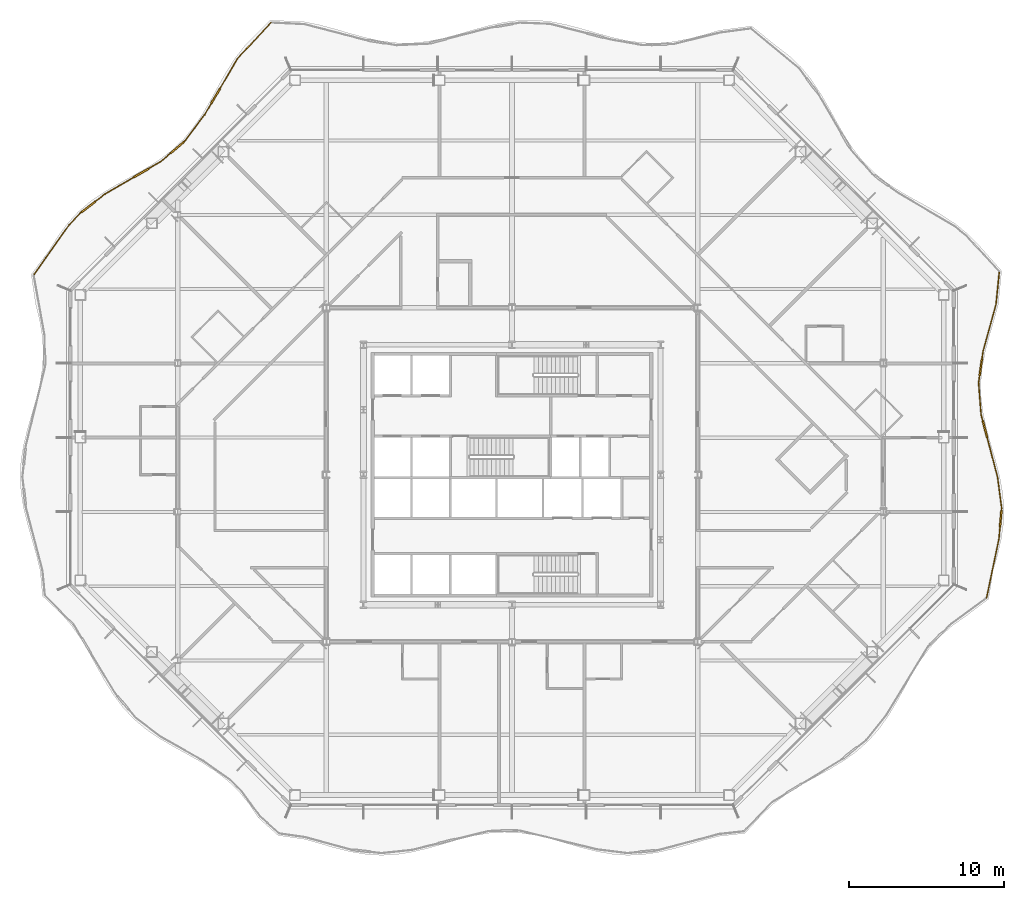
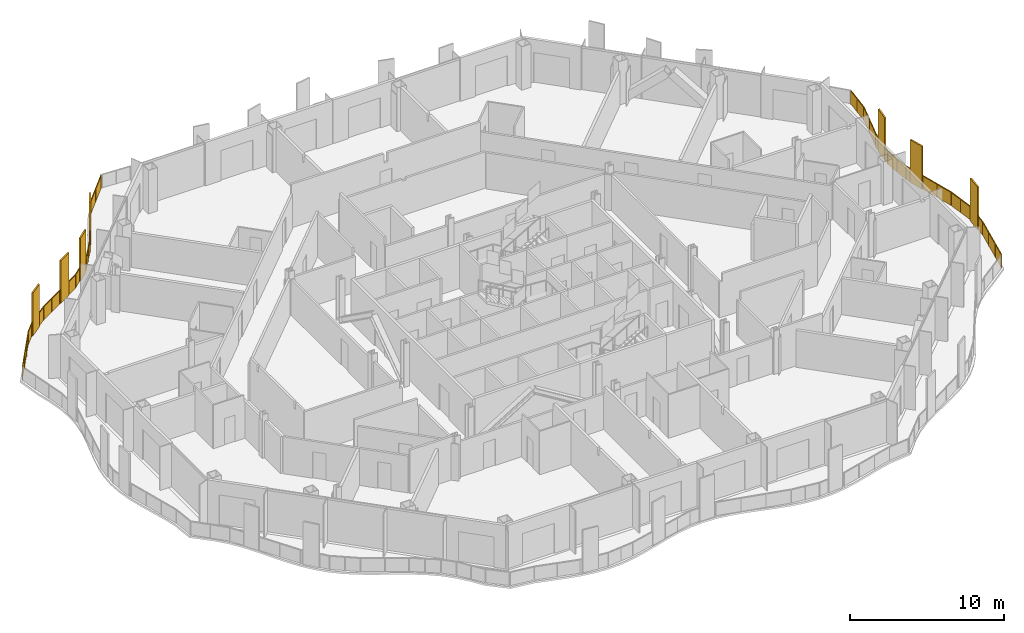
# One storey, part 19 of 21: 2 railings.
"""IFC4 building model written with IfcOpenShell, lengths in metres."""

from ifc_helpers import new_model, si_unit, direction, frame, origin, origin_2d, place, context, subcontext, project, spatial, polyline, rectangle, outline, extrude, material, type_object, element, save


model = new_model("IFC4")

# Units and contexts
model_context = context("Model", 3, precision=1e-05, world=origin(), true_north=direction((0.0, 1.0)))
body_context = subcontext(model_context, "Body", "Model", "MODEL_VIEW")
ifc_project = project(units=[si_unit("LENGTHUNIT", "METRE"), si_unit("AREAUNIT", "SQUARE_METRE"), si_unit("VOLUMEUNIT", "CUBIC_METRE"), si_unit("PLANEANGLEUNIT", "RADIAN"), si_unit("MASSUNIT", "GRAM", prefix="KILO")], contexts=[model_context])

# Site, building, storey
site_placement = place(None, origin())
site = spatial("IfcSite", under=ifc_project, at=site_placement, CompositionType="ELEMENT")
building_placement = place(site_placement, origin())
building = spatial("IfcBuilding", under=site, at=building_placement, Name="Cairn Pilgrim Tower", CompositionType="ELEMENT")
storey_placement = place(building_placement, frame((0.0, 0.0, 129.0)))
storey = spatial("IfcBuildingStorey", under=building, at=storey_placement, Name="L31", CompositionType="ELEMENT", Elevation=129.0)

# Railings
ifc_material = material(Name="Bronze anodised aluminium rail, posts and fin screens with laminated glass infill", Category="aluminium")
railing_type = type_object("IfcRailingType", Name="BALCONY GUARD WITH FIN SCREENS", PredefinedType="GUARDRAIL", material=ifc_material)
railing_1_placement = place(storey_placement, frame((37.873291015625, -5.544921875, 0.0)))
element("IfcRailing", 1, at=railing_1_placement, inside=storey, type_object=railing_type, Name="Balcony guard BGF-3 with fin screens", PredefinedType="GUARDRAIL", context=body_context, shape_type="SweptSolid", body=[
    extrude(rectangle(XDim=0.050048828125, YDim=0.050048828125, at=origin_2d()), frame((0.0, 0.0, 1.0751953125), z_axis=(0.205493739415, 0.97865843023, 0.0), x_axis=(-0.97865843023, 0.205493739415, 0.0)), (0.0, 0.0, 1.0), 3.88134765625),
    extrude(rectangle(XDim=1.10009765625, YDim=0.110107421875, at=origin_2d()), frame((0.911865234375, 5.096923828125, 0.0), z_axis=(0.0, 0.0, 1.0), x_axis=(0.087623499441, 0.996153664023, 0.0)), (0.0, 0.0, 1.0), 3.39990234375),
    extrude(rectangle(XDim=0.050048828125, YDim=0.050048828125, at=origin_2d()), frame((0.797607421875, 3.798583984375, 1.0751953125), z_axis=(0.087623499441, 0.996153664023, 0.0), x_axis=(-0.996153664023, 0.087623499441, 0.0)), (0.0, 0.0, 1.0), 0.75341796875),
    extrude(rectangle(XDim=0.050048828125, YDim=0.050048828125, at=origin_2d()), frame((0.9599609375, 5.644775390625, 1.0751953125), z_axis=(0.087623499441, 0.996153664023, 0.0), x_axis=(-0.996153664023, 0.087623499441, 0.0)), (0.0, 0.0, 1.0), 0.14990234375),
    extrude(rectangle(XDim=0.050048828125, YDim=0.050048828125, at=origin_2d()), frame((0.97314453125, 5.794189453125, 1.0751953125), z_axis=(-0.131837988282, 0.991271277121, 0.0), x_axis=(-0.991271277121, -0.131837988282, 0.0)), (0.0, 0.0, 1.0), 2.012939453125),
    extrude(rectangle(XDim=1.10009765625, YDim=0.110107421875, at=origin_2d()), frame((-0.104736328125, 10.876220703125, 0.0), z_axis=(0.0, 0.0, 1.0), x_axis=(-0.254545002151, 0.967060929766, 0.0)), (0.0, 0.0, 1.0), 3.39990234375),
    extrude(rectangle(XDim=0.050048828125, YDim=0.050048828125, at=origin_2d()), frame((0.707763671875, 7.78955078125, 1.0751953125), z_axis=(-0.254545002151, 0.967060929766, 0.0), x_axis=(-0.967060929766, -0.254545002151, 0.0)), (0.0, 0.0, 1.0), 2.641845703125),
    extrude(rectangle(XDim=0.050048828125, YDim=0.050048828125, at=origin_2d()), frame((-0.24462890625, 11.408203125, 1.0751953125), z_axis=(-0.254545002151, 0.967060929766, 0.0), x_axis=(-0.967060929766, -0.254545002151, 0.0)), (0.0, 0.0, 1.0), 0.44189453125),
    extrude(rectangle(XDim=0.050048828125, YDim=0.050048828125, at=origin_2d()), frame((-0.357177734375, 11.83544921875, 1.0751953125), z_axis=(-0.078556623084, 0.996909653364, 0.0), x_axis=(-0.996909653364, -0.078556623084, 0.0)), (0.0, 0.0, 1.0), 2.057373046875),
    extrude(rectangle(XDim=1.10009765625, YDim=0.110107421875, at=origin_2d()), frame((-0.375732421875, 14.89794921875, 0.0), z_axis=(0.0, 0.0, 1.0), x_axis=(0.139949661778, 0.990158619701, 0.0)), (0.0, 0.0, 1.0), 3.39990234375),
    extrude(rectangle(XDim=0.050048828125, YDim=0.050048828125, at=origin_2d()), frame((-0.518798828125, 13.886474609375, 1.0751953125), z_axis=(0.139949661778, 0.990158619701, 0.0), x_axis=(-0.990158619701, 0.139949661778, 0.0)), (0.0, 0.0, 1.0), 0.4716796875),
    extrude(rectangle(XDim=0.050048828125, YDim=0.050048828125, at=origin_2d()), frame((-0.298828125, 15.442626953125, 1.0751953125), z_axis=(0.139949661778, 0.990158619701, 0.0), x_axis=(-0.990158619701, 0.139949661778, 0.0)), (0.0, 0.0, 1.0), 0.49560546875),
    extrude(rectangle(XDim=0.050048828125, YDim=0.050048828125, at=origin_2d()), frame((-0.2294921875, 15.933349609375, 1.0751953125), z_axis=(0.266842452567, 0.963740164934, 0.0), x_axis=(-0.963740164934, 0.266842452567, 0.0)), (0.0, 0.0, 1.0), 3.142822265625),
    extrude(rectangle(XDim=0.050048828125, YDim=0.050048828125, at=origin_2d()), frame((0.609130859375, 18.962158203125, 1.0751953125), z_axis=(0.100031140901, 0.994984306836, 0.0), x_axis=(-0.994984306836, 0.100031140901, 0.0)), (0.0, 0.0, 1.0), 2.062255859375),
    extrude(rectangle(XDim=0.050048828125, YDim=0.050048828125, at=origin_2d()), origin(), (0.0, 0.0, 1.0), 1.050048828125),
    extrude(rectangle(XDim=0.050048828125, YDim=0.050048828125, at=origin_2d()), frame((0.265869140625, 1.26611328125, 0.0)), (0.0, 0.0, 1.0), 1.050048828125),
    extrude(rectangle(XDim=0.050048828125, YDim=0.050048828125, at=origin_2d()), frame((0.53173828125, 2.532470703125, 0.0)), (0.0, 0.0, 1.0), 1.050048828125),
    extrude(rectangle(XDim=0.050048828125, YDim=0.050048828125, at=origin_2d()), frame((0.797607421875, 3.798583984375, 0.0)), (0.0, 0.0, 1.0), 1.050048828125),
    extrude(rectangle(XDim=0.050048828125, YDim=0.050048828125, at=origin_2d()), frame((0.861328125, 4.524169921875, 0.0)), (0.0, 0.0, 1.0), 1.050048828125),
    extrude(rectangle(XDim=0.050048828125, YDim=0.050048828125, at=origin_2d()), frame((0.962158203125, 5.669677734375, 0.0)), (0.0, 0.0, 1.0), 1.050048828125),
    extrude(rectangle(XDim=0.050048828125, YDim=0.050048828125, at=origin_2d()), frame((0.97314453125, 5.794189453125, 0.0)), (0.0, 0.0, 1.0), 1.050048828125),
    extrude(rectangle(XDim=0.050048828125, YDim=0.050048828125, at=origin_2d()), frame((0.84033203125, 6.7919921875, 0.0)), (0.0, 0.0, 1.0), 1.050048828125),
    extrude(rectangle(XDim=0.050048828125, YDim=0.050048828125, at=origin_2d()), frame((0.707763671875, 7.78955078125, 0.0)), (0.0, 0.0, 1.0), 1.050048828125),
    extrude(rectangle(XDim=0.050048828125, YDim=0.050048828125, at=origin_2d()), frame((0.374755859375, 9.054931640625, 0.0)), (0.0, 0.0, 1.0), 1.050048828125),
    extrude(rectangle(XDim=0.050048828125, YDim=0.050048828125, at=origin_2d()), frame((0.041748046875, 10.320068359375, 0.0)), (0.0, 0.0, 1.0), 1.050048828125),
    extrude(rectangle(XDim=0.050048828125, YDim=0.050048828125, at=origin_2d()), frame((-0.2509765625, 11.432373046875, 0.0)), (0.0, 0.0, 1.0), 1.050048828125),
    extrude(rectangle(XDim=0.050048828125, YDim=0.050048828125, at=origin_2d()), frame((-0.357177734375, 11.83544921875, 0.0)), (0.0, 0.0, 1.0), 1.050048828125),
    extrude(rectangle(XDim=0.050048828125, YDim=0.050048828125, at=origin_2d()), frame((-0.43798828125, 12.86083984375, 0.0)), (0.0, 0.0, 1.0), 1.050048828125),
    extrude(rectangle(XDim=0.050048828125, YDim=0.050048828125, at=origin_2d()), frame((-0.518798828125, 13.886474609375, 0.0)), (0.0, 0.0, 1.0), 1.050048828125),
    extrude(rectangle(XDim=0.050048828125, YDim=0.050048828125, at=origin_2d()), frame((-0.456298828125, 14.32861328125, 0.0)), (0.0, 0.0, 1.0), 1.050048828125),
    extrude(rectangle(XDim=0.050048828125, YDim=0.050048828125, at=origin_2d()), frame((-0.29541015625, 15.467529296875, 0.0)), (0.0, 0.0, 1.0), 1.050048828125),
    extrude(rectangle(XDim=0.050048828125, YDim=0.050048828125, at=origin_2d()), frame((-0.2294921875, 15.933349609375, 0.0)), (0.0, 0.0, 1.0), 1.050048828125),
    extrude(rectangle(XDim=0.050048828125, YDim=0.050048828125, at=origin_2d()), frame((0.18994140625, 17.44775390625, 0.0)), (0.0, 0.0, 1.0), 1.050048828125),
    extrude(rectangle(XDim=0.050048828125, YDim=0.050048828125, at=origin_2d()), frame((0.609130859375, 18.962158203125, 0.0)), (0.0, 0.0, 1.0), 1.050048828125),
    extrude(rectangle(XDim=0.050048828125, YDim=0.050048828125, at=origin_2d()), frame((0.71240234375, 19.98828125, 0.0)), (0.0, 0.0, 1.0), 1.050048828125),
    extrude(rectangle(XDim=0.050048828125, YDim=0.050048828125, at=origin_2d()), frame((0.8154296875, 21.01416015625, 0.0)), (0.0, 0.0, 1.0), 1.050048828125),
    extrude(outline(polyline([(0.02490234375, 0.0), (1.268798828125, 0.0), (1.268798828125, 1.050048828125), (0.02490234375, 1.050048828125), (0.02490234375, 0.0)])), frame((-0.005859375, 0.001220703125, 0.0), z_axis=(0.97865843023, -0.205493739415, 0.0), x_axis=(0.205493739415, 0.97865843023, 0.0)), (0.0, 0.0, 1.0), 0.011962890625),
    extrude(outline(polyline([(0.02490234375, 0.0), (1.268798828125, 0.0), (1.268798828125, 1.050048828125), (0.02490234375, 1.050048828125), (0.02490234375, 0.0)])), frame((0.260009765625, 1.267333984375, 0.0), z_axis=(0.97865843023, -0.205493739415, 0.0), x_axis=(0.205493739415, 0.97865843023, 0.0)), (0.0, 0.0, 1.0), 0.011962890625),
    extrude(outline(polyline([(0.02490234375, 0.0), (1.268798828125, 0.0), (1.268798828125, 1.050048828125), (0.02490234375, 1.050048828125), (0.02490234375, 0.0)])), frame((0.52587890625, 2.53369140625, 0.0), z_axis=(0.97865843023, -0.205493739415, 0.0), x_axis=(0.205493739415, 0.97865843023, 0.0)), (0.0, 0.0, 1.0), 0.011962890625),
    extrude(outline(polyline([(0.02490234375, 0.0), (0.703369140625, 0.0), (0.703369140625, 1.050048828125), (0.02490234375, 1.050048828125), (0.02490234375, 0.0)])), frame((0.791748046875, 3.799072265625, 0.0), z_axis=(0.996153664023, -0.087623499441, 0.0), x_axis=(0.087623499441, 0.996153664023, 0.0)), (0.0, 0.0, 1.0), 0.011962890625),
    extrude(outline(polyline([(0.02490234375, 0.0), (0.099853515625, 0.0), (0.099853515625, 1.050048828125), (0.02490234375, 1.050048828125), (0.02490234375, 0.0)])), frame((0.956298828125, 5.670166015625, 0.0), z_axis=(0.996153664023, -0.087623499441, 0.0), x_axis=(0.087623499441, 0.996153664023, 0.0)), (0.0, 0.0, 1.0), 0.011962890625),
    extrude(outline(polyline([(0.02490234375, 0.0), (0.9814453125, 0.0), (0.9814453125, 1.050048828125), (0.02490234375, 1.050048828125), (0.02490234375, 0.0)])), frame((0.96728515625, 5.79345703125, 0.0), z_axis=(0.991271277121, 0.131837988282, 0.0), x_axis=(-0.131837988282, 0.991271277121, 0.0)), (0.0, 0.0, 1.0), 0.011962890625),
    extrude(outline(polyline([(0.02490234375, 0.0), (0.9814453125, 0.0), (0.9814453125, 1.050048828125), (0.02490234375, 1.050048828125), (0.02490234375, 0.0)])), frame((0.83447265625, 6.791015625, 0.0), z_axis=(0.991271277121, 0.131837988282, 0.0), x_axis=(-0.131837988282, 0.991271277121, 0.0)), (0.0, 0.0, 1.0), 0.011962890625),
    extrude(outline(polyline([(0.02490234375, 0.0), (1.283447265625, 0.0), (1.283447265625, 1.050048828125), (0.02490234375, 1.050048828125), (0.02490234375, 0.0)])), frame((0.701904296875, 7.7880859375, 0.0), z_axis=(0.967060929766, 0.254545002151, 0.0), x_axis=(-0.254545002151, 0.967060929766, 0.0)), (0.0, 0.0, 1.0), 0.011962890625),
    extrude(outline(polyline([(0.02490234375, 0.0), (1.283447265625, 0.0), (1.283447265625, 1.050048828125), (0.02490234375, 1.050048828125), (0.02490234375, 0.0)])), frame((0.368896484375, 9.05322265625, 0.0), z_axis=(0.967060929766, 0.254545002151, 0.0), x_axis=(-0.254545002151, 0.967060929766, 0.0)), (0.0, 0.0, 1.0), 0.011962890625),
    extrude(outline(polyline([(0.02490234375, 0.0), (0.391845703125, 0.0), (0.391845703125, 1.050048828125), (0.02490234375, 1.050048828125), (0.02490234375, 0.0)])), frame((-0.2568359375, 11.430908203125, 0.0), z_axis=(0.967060929766, 0.254545002151, 0.0), x_axis=(-0.254545002151, 0.967060929766, 0.0)), (0.0, 0.0, 1.0), 0.011962890625),
    extrude(outline(polyline([(0.02490234375, 0.0), (1.003662109375, 0.0), (1.003662109375, 1.050048828125), (0.02490234375, 1.050048828125), (0.02490234375, 0.0)])), frame((-0.363037109375, 11.8349609375, 0.0), z_axis=(0.996909653364, 0.078556623084, 0.0), x_axis=(-0.078556623084, 0.996909653364, 0.0)), (0.0, 0.0, 1.0), 0.011962890625),
    extrude(outline(polyline([(0.02490234375, 0.0), (1.003662109375, 0.0), (1.003662109375, 1.050048828125), (0.02490234375, 1.050048828125), (0.02490234375, 0.0)])), frame((-0.44384765625, 12.860595703125, 0.0), z_axis=(0.996909653364, 0.078556623084, 0.0), x_axis=(-0.078556623084, 0.996909653364, 0.0)), (0.0, 0.0, 1.0), 0.011962890625),
    extrude(outline(polyline([(0.02490234375, 0.0), (0.421630859375, 0.0), (0.421630859375, 1.050048828125), (0.02490234375, 1.050048828125), (0.02490234375, 0.0)])), frame((-0.524658203125, 13.88720703125, 0.0), z_axis=(0.990158619701, -0.139949661778, 0.0), x_axis=(0.139949661778, 0.990158619701, 0.0)), (0.0, 0.0, 1.0), 0.011962890625),
    extrude(outline(polyline([(0.02490234375, 0.0), (0.445556640625, 0.0), (0.445556640625, 1.050048828125), (0.02490234375, 1.050048828125), (0.02490234375, 0.0)])), frame((-0.30126953125, 15.46826171875, 0.0), z_axis=(0.990158619701, -0.139949661778, 0.0), x_axis=(0.139949661778, 0.990158619701, 0.0)), (0.0, 0.0, 1.0), 0.011962890625),
    extrude(outline(polyline([(0.02490234375, 0.0), (1.54638671875, 0.0), (1.54638671875, 1.050048828125), (0.02490234375, 1.050048828125), (0.02490234375, 0.0)])), frame((-0.2353515625, 15.93505859375, 0.0), z_axis=(0.963740164934, -0.266842452567, 0.0), x_axis=(0.266842452567, 0.963740164934, 0.0)), (0.0, 0.0, 1.0), 0.011962890625),
    extrude(outline(polyline([(0.02490234375, 0.0), (1.54638671875, 0.0), (1.54638671875, 1.050048828125), (0.02490234375, 1.050048828125), (0.02490234375, 0.0)])), frame((0.18408203125, 17.449462890625, 0.0), z_axis=(0.963740164934, -0.266842452567, 0.0), x_axis=(0.266842452567, 0.963740164934, 0.0)), (0.0, 0.0, 1.0), 0.011962890625),
    extrude(outline(polyline([(0.02490234375, 0.0), (1.006103515625, 0.0), (1.006103515625, 1.050048828125), (0.02490234375, 1.050048828125), (0.02490234375, 0.0)])), frame((0.603271484375, 18.962646484375, 0.0), z_axis=(0.994984306836, -0.100031140901, 0.0), x_axis=(0.100031140901, 0.994984306836, 0.0)), (0.0, 0.0, 1.0), 0.011962890625),
    extrude(outline(polyline([(0.02490234375, 0.0), (1.006103515625, 0.0), (1.006103515625, 1.050048828125), (0.02490234375, 1.050048828125), (0.02490234375, 0.0)])), frame((0.706298828125, 19.98876953125, 0.0), z_axis=(0.994984306836, -0.100031140901, 0.0), x_axis=(0.100031140901, 0.994984306836, 0.0)), (0.0, 0.0, 1.0), 0.011962890625),
])
railing_2_placement = place(storey_placement, frame((-8.374755859375, 31.634033203125, 0.0)))
element("IfcRailing", 2, at=railing_2_placement, inside=storey, type_object=railing_type, Name="Balcony guard BGF-6 with fin screens", PredefinedType="GUARDRAIL", context=body_context, shape_type="SweptSolid", body=[
    extrude(rectangle(XDim=0.050048828125, YDim=0.050048828125, at=origin_2d()), frame((0.0, 0.0, 1.0751953125), z_axis=(-0.67969336953, -0.733496369055, 0.0), x_axis=(0.733496369055, -0.67969336953, 0.0)), (0.0, 0.0, 1.0), 3.18994140625),
    extrude(rectangle(XDim=1.10009765625, YDim=0.110107421875, at=origin_2d()), frame((-3.584228515625, -4.75537109375, 0.0), z_axis=(0.0, 0.0, 1.0), x_axis=(-0.505726956222, -0.862693598997, 0.0)), (0.0, 0.0, 1.0), 3.39990234375),
    extrude(rectangle(XDim=0.050048828125, YDim=0.050048828125, at=origin_2d()), frame((-2.168212890625, -2.33984375, 1.0751953125), z_axis=(-0.505726956222, -0.862693598997, 0.0), x_axis=(0.862693598997, -0.505726956222, 0.0)), (0.0, 0.0, 1.0), 2.25),
    extrude(rectangle(XDim=0.050048828125, YDim=0.050048828125, at=origin_2d()), frame((-3.8623046875, -5.22998046875, 1.0751953125), z_axis=(-0.505726956222, -0.862693598997, 0.0), x_axis=(0.862693598997, -0.505726956222, 0.0)), (0.0, 0.0, 1.0), 0.851318359375),
    extrude(rectangle(XDim=0.050048828125, YDim=0.050048828125, at=origin_2d()), frame((-4.29296875, -5.96435546875, 1.0751953125), z_axis=(-0.598855136823, -0.800857368762, 0.0), x_axis=(0.800857368762, -0.598855136823, 0.0)), (0.0, 0.0, 1.0), 2.08251953125),
    extrude(rectangle(XDim=1.10009765625, YDim=0.110107421875, at=origin_2d()), frame((-6.07177734375, -8.087646484375, 0.0), z_axis=(0.0, 0.0, 1.0), x_axis=(-0.759372991522, -0.650655561528, 0.0)), (0.0, 0.0, 1.0), 3.39990234375),
    extrude(rectangle(XDim=0.050048828125, YDim=0.050048828125, at=origin_2d()), frame((-5.5400390625, -7.632080078125, 1.0751953125), z_axis=(-0.759372991522, -0.650655561528, 0.0), x_axis=(0.650655561528, -0.759372991522, 0.0)), (0.0, 0.0, 1.0), 0.150146484375),
    extrude(rectangle(XDim=0.050048828125, YDim=0.050048828125, at=origin_2d()), frame((-6.4892578125, -8.445556640625, 1.0751953125), z_axis=(-0.759372991522, -0.650655561528, 0.0), x_axis=(0.650655561528, -0.759372991522, 0.0)), (0.0, 0.0, 1.0), 0.822509765625),
    extrude(rectangle(XDim=1.10009765625, YDim=0.110107421875, at=origin_2d()), frame((-8.389404296875, -9.72509765625, 0.0), z_axis=(0.0, 0.0, 1.0), x_axis=(-0.863629714214, -0.504126687179, 0.0)), (0.0, 0.0, 1.0), 3.39990234375),
    extrude(rectangle(XDim=0.050048828125, YDim=0.050048828125, at=origin_2d()), frame((-7.114013671875, -8.980712890625, 1.0751953125), z_axis=(-0.863629714214, -0.504126687179, 0.0), x_axis=(0.504126687179, -0.863629714214, 0.0)), (0.0, 0.0, 1.0), 0.9267578125),
    extrude(rectangle(XDim=0.050048828125, YDim=0.050048828125, at=origin_2d()), frame((-8.864501953125, -10.00244140625, 1.0751953125), z_axis=(-0.863629714214, -0.504126687179, 0.0), x_axis=(0.504126687179, -0.863629714214, 0.0)), (0.0, 0.0, 1.0), 2.1884765625),
    extrude(rectangle(XDim=1.10009765625, YDim=0.110107421875, at=origin_2d()), frame((-11.80908203125, -11.91796875, 0.0), z_axis=(0.0, 0.0, 1.0), x_axis=(-0.792261953017, -0.610181118851, 0.0)), (0.0, 0.0, 1.0), 3.39990234375),
    extrude(rectangle(XDim=0.050048828125, YDim=0.050048828125, at=origin_2d()), frame((-10.75439453125, -11.105712890625, 1.0751953125), z_axis=(-0.792261953017, -0.610181118851, 0.0), x_axis=(0.610181118851, -0.792261953017, 0.0)), (0.0, 0.0, 1.0), 0.78125),
    extrude(rectangle(XDim=0.050048828125, YDim=0.050048828125, at=origin_2d()), frame((-12.244873046875, -12.253662109375, 1.0751953125), z_axis=(-0.792261953017, -0.610181118851, 0.0), x_axis=(0.610181118851, -0.792261953017, 0.0)), (0.0, 0.0, 1.0), 0.14990234375),
    extrude(rectangle(XDim=0.050048828125, YDim=0.050048828125, at=origin_2d()), frame((-12.36376953125, -12.34521484375, 1.0751953125), z_axis=(-0.679774306873, -0.73342136028, 0.0), x_axis=(0.73342136028, -0.679774306873, 0.0)), (0.0, 0.0, 1.0), 0.99658203125),
    extrude(rectangle(XDim=0.050048828125, YDim=0.050048828125, at=origin_2d()), frame((-13.041259765625, -13.076171875, 1.0751953125), z_axis=(-0.578940533516, -0.815369768052, 0.0), x_axis=(0.815369768052, -0.578940533516, 0.0)), (0.0, 0.0, 1.0), 3.923828125),
    extrude(rectangle(XDim=0.050048828125, YDim=0.050048828125, at=origin_2d()), origin(), (0.0, 0.0, 1.0), 1.050048828125),
    extrude(rectangle(XDim=0.050048828125, YDim=0.050048828125, at=origin_2d()), frame((-1.083984375, -1.169921875, 0.0)), (0.0, 0.0, 1.0), 1.050048828125),
    extrude(rectangle(XDim=0.050048828125, YDim=0.050048828125, at=origin_2d()), frame((-2.168212890625, -2.33984375, 0.0)), (0.0, 0.0, 1.0), 1.050048828125),
    extrude(rectangle(XDim=0.050048828125, YDim=0.050048828125, at=origin_2d()), frame((-2.730712890625, -3.299560546875, 0.0)), (0.0, 0.0, 1.0), 1.050048828125),
    extrude(rectangle(XDim=0.050048828125, YDim=0.050048828125, at=origin_2d()), frame((-3.29345703125, -4.25927734375, 0.0)), (0.0, 0.0, 1.0), 1.050048828125),
    extrude(rectangle(XDim=0.050048828125, YDim=0.050048828125, at=origin_2d()), frame((-3.875, -5.25146484375, 0.0)), (0.0, 0.0, 1.0), 1.050048828125),
    extrude(rectangle(XDim=0.050048828125, YDim=0.050048828125, at=origin_2d()), frame((-4.29296875, -5.96435546875, 0.0)), (0.0, 0.0, 1.0), 1.050048828125),
    extrude(rectangle(XDim=0.050048828125, YDim=0.050048828125, at=origin_2d()), frame((-4.91650390625, -6.79833984375, 0.0)), (0.0, 0.0, 1.0), 1.050048828125),
    extrude(rectangle(XDim=0.050048828125, YDim=0.050048828125, at=origin_2d()), frame((-5.5400390625, -7.632080078125, 0.0)), (0.0, 0.0, 1.0), 1.050048828125),
    extrude(rectangle(XDim=0.050048828125, YDim=0.050048828125, at=origin_2d()), frame((-5.635009765625, -7.71337890625, 0.0)), (0.0, 0.0, 1.0), 1.050048828125),
    extrude(rectangle(XDim=0.050048828125, YDim=0.050048828125, at=origin_2d()), frame((-6.50830078125, -8.461669921875, 0.0)), (0.0, 0.0, 1.0), 1.050048828125),
    extrude(rectangle(XDim=0.050048828125, YDim=0.050048828125, at=origin_2d()), frame((-7.114013671875, -8.980712890625, 0.0)), (0.0, 0.0, 1.0), 1.050048828125),
    extrude(rectangle(XDim=0.050048828125, YDim=0.050048828125, at=origin_2d()), frame((-7.892822265625, -9.435302734375, 0.0)), (0.0, 0.0, 1.0), 1.050048828125),
    extrude(rectangle(XDim=0.050048828125, YDim=0.050048828125, at=origin_2d()), frame((-8.885986328125, -10.01513671875, 0.0)), (0.0, 0.0, 1.0), 1.050048828125),
    extrude(rectangle(XDim=0.050048828125, YDim=0.050048828125, at=origin_2d()), frame((-9.8203125, -10.560302734375, 0.0)), (0.0, 0.0, 1.0), 1.050048828125),
    extrude(rectangle(XDim=0.050048828125, YDim=0.050048828125, at=origin_2d()), frame((-10.75439453125, -11.105712890625, 0.0)), (0.0, 0.0, 1.0), 1.050048828125),
    extrude(rectangle(XDim=0.050048828125, YDim=0.050048828125, at=origin_2d()), frame((-11.353515625, -11.567138671875, 0.0)), (0.0, 0.0, 1.0), 1.050048828125),
    extrude(rectangle(XDim=0.050048828125, YDim=0.050048828125, at=origin_2d()), frame((-12.2646484375, -12.26904296875, 0.0)), (0.0, 0.0, 1.0), 1.050048828125),
    extrude(rectangle(XDim=0.050048828125, YDim=0.050048828125, at=origin_2d()), frame((-12.36376953125, -12.34521484375, 0.0)), (0.0, 0.0, 1.0), 1.050048828125),
    extrude(rectangle(XDim=0.050048828125, YDim=0.050048828125, at=origin_2d()), frame((-13.041259765625, -13.076171875, 0.0)), (0.0, 0.0, 1.0), 1.050048828125),
    extrude(rectangle(XDim=0.050048828125, YDim=0.050048828125, at=origin_2d()), frame((-13.798583984375, -14.142578125, 0.0)), (0.0, 0.0, 1.0), 1.050048828125),
    extrude(rectangle(XDim=0.050048828125, YDim=0.050048828125, at=origin_2d()), frame((-14.5556640625, -15.209228515625, 0.0)), (0.0, 0.0, 1.0), 1.050048828125),
    extrude(rectangle(XDim=0.050048828125, YDim=0.050048828125, at=origin_2d()), frame((-15.31298828125, -16.275634765625, 0.0)), (0.0, 0.0, 1.0), 1.050048828125),
    extrude(outline(polyline([(0.02490234375, 0.0), (1.570068359375, 0.0), (1.570068359375, 1.050048828125), (0.02490234375, 1.050048828125), (0.02490234375, 0.0)])), frame((0.00439453125, -0.004150390625, 0.0), z_axis=(-0.733496369055, 0.67969336953, 0.0), x_axis=(-0.67969336953, -0.733496369055, 0.0)), (0.0, 0.0, 1.0), 0.011962890625),
    extrude(outline(polyline([(0.02490234375, 0.0), (1.570068359375, 0.0), (1.570068359375, 1.050048828125), (0.02490234375, 1.050048828125), (0.02490234375, 0.0)])), frame((-1.079833984375, -1.174072265625, 0.0), z_axis=(-0.733496369055, 0.67969336953, 0.0), x_axis=(-0.67969336953, -0.733496369055, 0.0)), (0.0, 0.0, 1.0), 0.011962890625),
    extrude(outline(polyline([(0.02490234375, 0.0), (1.08740234375, 0.0), (1.08740234375, 1.050048828125), (0.02490234375, 1.050048828125), (0.02490234375, 0.0)])), frame((-2.1630859375, -2.3427734375, 0.0), z_axis=(-0.862693598997, 0.505726956222, 0.0), x_axis=(-0.505726956222, -0.862693598997, 0.0)), (0.0, 0.0, 1.0), 0.011962890625),
    extrude(outline(polyline([(0.02490234375, 0.0), (1.08740234375, 0.0), (1.08740234375, 1.050048828125), (0.02490234375, 1.050048828125), (0.02490234375, 0.0)])), frame((-2.7255859375, -3.302490234375, 0.0), z_axis=(-0.862693598997, 0.505726956222, 0.0), x_axis=(-0.505726956222, -0.862693598997, 0.0)), (0.0, 0.0, 1.0), 0.011962890625),
    extrude(outline(polyline([(0.02490234375, 0.0), (0.80126953125, 0.0), (0.80126953125, 1.050048828125), (0.02490234375, 1.050048828125), (0.02490234375, 0.0)])), frame((-3.869873046875, -5.25439453125, 0.0), z_axis=(-0.862693598997, 0.505726956222, 0.0), x_axis=(-0.505726956222, -0.862693598997, 0.0)), (0.0, 0.0, 1.0), 0.011962890625),
    extrude(outline(polyline([(0.02490234375, 0.0), (1.01611328125, 0.0), (1.01611328125, 1.050048828125), (0.02490234375, 1.050048828125), (0.02490234375, 0.0)])), frame((-4.2880859375, -5.968017578125, 0.0), z_axis=(-0.800857368762, 0.598855136823, 0.0), x_axis=(-0.598855136823, -0.800857368762, 0.0)), (0.0, 0.0, 1.0), 0.011962890625),
    extrude(outline(polyline([(0.02490234375, 0.0), (1.01611328125, 0.0), (1.01611328125, 1.050048828125), (0.02490234375, 1.050048828125), (0.02490234375, 0.0)])), frame((-4.91162109375, -6.8017578125, 0.0), z_axis=(-0.800857368762, 0.598855136823, 0.0), x_axis=(-0.598855136823, -0.800857368762, 0.0)), (0.0, 0.0, 1.0), 0.011962890625),
    extrude(outline(polyline([(0.02490234375, 0.0), (0.10009765625, 0.0), (0.10009765625, 1.050048828125), (0.02490234375, 1.050048828125), (0.02490234375, 0.0)])), frame((-5.5361328125, -7.63671875, 0.0), z_axis=(-0.650655561528, 0.759372991522, 0.0), x_axis=(-0.759372991522, -0.650655561528, 0.0)), (0.0, 0.0, 1.0), 0.011962890625),
    extrude(outline(polyline([(0.02490234375, 0.0), (0.7724609375, 0.0), (0.7724609375, 1.050048828125), (0.02490234375, 1.050048828125), (0.02490234375, 0.0)])), frame((-6.50439453125, -8.46630859375, 0.0), z_axis=(-0.650655561528, 0.759372991522, 0.0), x_axis=(-0.759372991522, -0.650655561528, 0.0)), (0.0, 0.0, 1.0), 0.011962890625),
    extrude(outline(polyline([(0.02490234375, 0.0), (0.876708984375, 0.0), (0.876708984375, 1.050048828125), (0.02490234375, 1.050048828125), (0.02490234375, 0.0)])), frame((-7.111083984375, -8.98583984375, 0.0), z_axis=(-0.504126687179, 0.863629714214, 0.0), x_axis=(-0.863629714214, -0.504126687179, 0.0)), (0.0, 0.0, 1.0), 0.011962890625),
    extrude(outline(polyline([(0.02490234375, 0.0), (1.056640625, 0.0), (1.056640625, 1.050048828125), (0.02490234375, 1.050048828125), (0.02490234375, 0.0)])), frame((-8.883056640625, -10.020263671875, 0.0), z_axis=(-0.504126687179, 0.863629714214, 0.0), x_axis=(-0.863629714214, -0.504126687179, 0.0)), (0.0, 0.0, 1.0), 0.011962890625),
    extrude(outline(polyline([(0.02490234375, 0.0), (1.056640625, 0.0), (1.056640625, 1.050048828125), (0.02490234375, 1.050048828125), (0.02490234375, 0.0)])), frame((-9.817138671875, -10.565673828125, 0.0), z_axis=(-0.504126687179, 0.863629714214, 0.0), x_axis=(-0.863629714214, -0.504126687179, 0.0)), (0.0, 0.0, 1.0), 0.011962890625),
    extrude(outline(polyline([(0.02490234375, 0.0), (0.731201171875, 0.0), (0.731201171875, 1.050048828125), (0.02490234375, 1.050048828125), (0.02490234375, 0.0)])), frame((-10.750732421875, -11.1103515625, 0.0), z_axis=(-0.610181118851, 0.792261953017, 0.0), x_axis=(-0.792261953017, -0.610181118851, 0.0)), (0.0, 0.0, 1.0), 0.011962890625),
    extrude(outline(polyline([(0.02490234375, 0.0), (0.099853515625, 0.0), (0.099853515625, 1.050048828125), (0.02490234375, 1.050048828125), (0.02490234375, 0.0)])), frame((-12.260986328125, -12.273681640625, 0.0), z_axis=(-0.610181118851, 0.792261953017, 0.0), x_axis=(-0.792261953017, -0.610181118851, 0.0)), (0.0, 0.0, 1.0), 0.011962890625),
    extrude(outline(polyline([(0.02490234375, 0.0), (0.9716796875, 0.0), (0.9716796875, 1.050048828125), (0.02490234375, 1.050048828125), (0.02490234375, 0.0)])), frame((-12.359375, -12.349365234375, 0.0), z_axis=(-0.73342136028, 0.679774306873, 0.0), x_axis=(-0.679774306873, -0.73342136028, 0.0)), (0.0, 0.0, 1.0), 0.011962890625),
    extrude(outline(polyline([(0.02490234375, 0.0), (1.282958984375, 0.0), (1.282958984375, 1.050048828125), (0.02490234375, 1.050048828125), (0.02490234375, 0.0)])), frame((-13.036376953125, -13.07958984375, 0.0), z_axis=(-0.815369768052, 0.578940533516, 0.0), x_axis=(-0.578940533516, -0.815369768052, 0.0)), (0.0, 0.0, 1.0), 0.011962890625),
    extrude(outline(polyline([(0.02490234375, 0.0), (1.282958984375, 0.0), (1.282958984375, 1.050048828125), (0.02490234375, 1.050048828125), (0.02490234375, 0.0)])), frame((-13.793701171875, -14.146240234375, 0.0), z_axis=(-0.815369768052, 0.578940533516, 0.0), x_axis=(-0.578940533516, -0.815369768052, 0.0)), (0.0, 0.0, 1.0), 0.011962890625),
    extrude(outline(polyline([(0.02490234375, 0.0), (1.282958984375, 0.0), (1.282958984375, 1.050048828125), (0.02490234375, 1.050048828125), (0.02490234375, 0.0)])), frame((-14.55078125, -15.212646484375, 0.0), z_axis=(-0.815369768052, 0.578940533516, 0.0), x_axis=(-0.578940533516, -0.815369768052, 0.0)), (0.0, 0.0, 1.0), 0.011962890625),
])

save(model, "model.ifc")
